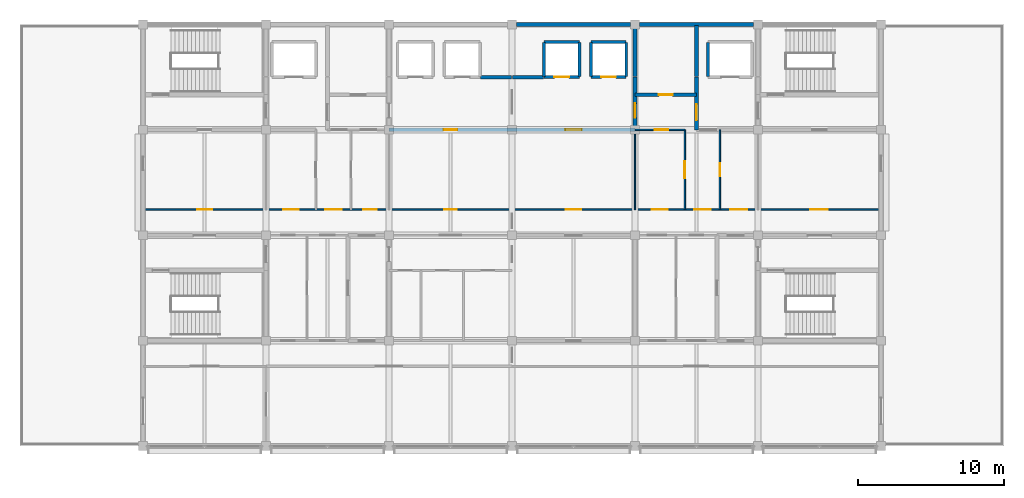
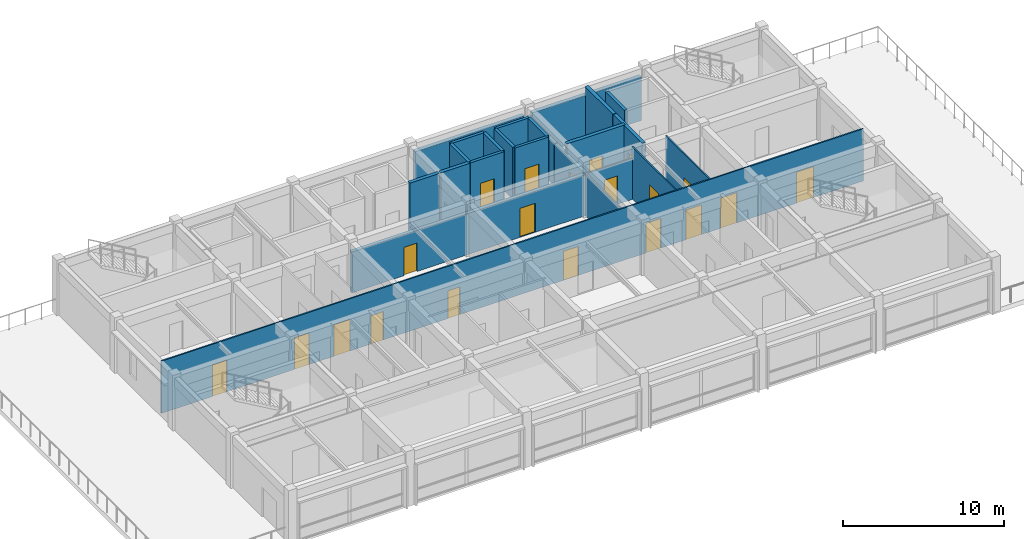
# One storey, part 10 of 13: 24 walls, 20 doors, 20 openings.
"""IFC4 building model written with IfcOpenShell, lengths in metres."""

from ifc_helpers import new_model, si_unit, direction, frame, frame_2d, origin, place, context, subcontext, project, spatial, rectangle, extrude, material, layer, layer_set, type_object, element, fill, save


model = new_model("IFC4")

# Units and contexts
model_context = context("Model", 3, precision=1e-05, world=origin(), true_north=direction((0.0, 1.0)))
body_context = subcontext(model_context, "Body", "Model", "MODEL_VIEW")
ifc_project = project(units=[si_unit("LENGTHUNIT", "METRE"), si_unit("AREAUNIT", "SQUARE_METRE"), si_unit("VOLUMEUNIT", "CUBIC_METRE"), si_unit("PLANEANGLEUNIT", "RADIAN"), si_unit("MASSUNIT", "GRAM", prefix="KILO")], contexts=[model_context])

# Site, building, storey
site_placement = place(None, origin())
site = spatial("IfcSite", under=ifc_project, at=site_placement, CompositionType="ELEMENT")
building_placement = place(site_placement, origin())
building = spatial("IfcBuilding", under=site, at=building_placement, Name="Chengyuan Square Courthouse", CompositionType="ELEMENT")
storey_placement = place(building_placement, frame((0.0, 0.0, 60.300048828125)))
storey = spatial("IfcBuildingStorey", under=building, at=storey_placement, Name="L14", CompositionType="ELEMENT", Elevation=60.300048828125)

# Walls
ifc_material_1 = material(Name="Concrete C40", Category="concrete")
ifc_layer_1 = layer(ifc_material_1, 0.280029296875)
ifc_layer_set_1 = layer_set([ifc_layer_1], Name="Concrete C40")
wall_type_1 = type_object("IfcWallType", Name="WL-EW4", PredefinedType="STANDARD", material=ifc_layer_set_1)
wall_1_placement = place(storey_placement, frame((84.294921875, 108.0, 0.0), z_axis=(0.0, 0.0, 1.0), x_axis=(1.0, 0.0, 0.0)))
element("IfcWall", 1, at=wall_1_placement, inside=storey, type_object=wall_type_1, Name="Exterior Wall WL-L14-E515", PredefinedType="STANDARD", context=body_context, shape_type="SweptSolid", body=[
    extrude(rectangle(XDim=7.81005859375, YDim=0.280029296875, at=frame_2d((3.905029296875, 0.0))), origin(), (0.0, 0.0, 1.0), 3.31005859375),
])
wall_2_placement = place(storey_placement, frame((92.695068359375, 108.0, 0.0), z_axis=(0.0, 0.0, 1.0), x_axis=(1.0, 0.0, 0.0)))
element("IfcWall", 2, at=wall_2_placement, inside=storey, type_object=wall_type_1, Name="Exterior Wall WL-L14-E516", PredefinedType="STANDARD", context=body_context, shape_type="SweptSolid", body=[
    extrude(rectangle(XDim=7.809814453125, YDim=0.280029296875, at=frame_2d((3.90478515625, 0.0))), origin(), (0.0, 0.0, 1.0), 3.31005859375),
])

# Wall, openings, doors
ifc_layer_2 = layer(ifc_material_1, 0.25)
ifc_layer_set_2 = layer_set([ifc_layer_2], Name="Concrete C40")
wall_type_2 = type_object("IfcWallType", Name="WL-FW1", PredefinedType="STANDARD", material=ifc_layer_set_2)
wall_3_placement = place(storey_placement, frame((75.60009765625, 100.800048828125, 0.0), z_axis=(0.0, 0.0, 1.0), x_axis=(1.0, 0.0, 0.0)))
wall_3 = element("IfcWall", 3, at=wall_3_placement, inside=storey, type_object=wall_type_2, Name="Interior Wall WL-L14-I3923", PredefinedType="STANDARD", context=body_context, shape_type="SweptSolid", body=[
    extrude(rectangle(XDim=16.7998046875, YDim=0.25, at=frame_2d((8.39990234375, 0.0))), origin(), (0.0, 0.0, 1.0), 3.10986328125),
])
opening_1_placement = place(wall_3_placement, frame((3.72509765625, 0.0, 0.0)))
opening_1 = element("IfcOpeningElement", 4, at=opening_1_placement, cuts=wall_3, Name="Opening DR-3255", PredefinedType="OPENING", context=body_context, shape_type="SweptSolid", body=[
    extrude(rectangle(XDim=0.949951171875, YDim=2.14990234375, at=frame_2d((0.47509765625, 1.074951171875))), frame((0.0, 0.136962890625, 0.0), z_axis=(0.0, -1.0, 0.0), x_axis=(1.0, 0.0, 0.0)), (0.0, 0.0, 1.0), 0.27392578125),
])
opening_2_placement = place(wall_3_placement, frame((12.050048828125, 0.0, 0.0)))
opening_2 = element("IfcOpeningElement", 5, at=opening_2_placement, cuts=wall_3, Name="Opening DR-3256", PredefinedType="OPENING", context=body_context, shape_type="SweptSolid", body=[
    extrude(rectangle(XDim=1.10009765625, YDim=2.199951171875, at=frame_2d((0.550048828125, 1.10009765625))), frame((0.0, 0.136962890625, 0.0), z_axis=(0.0, -1.0, 0.0), x_axis=(1.0, 0.0, 0.0)), (0.0, 0.0, 1.0), 0.27392578125),
])
ifc_material_2 = material(Name="Steel Q235B Fire Door", Category="steel")
door_type_1 = type_object("IfcDoorType", Name="DT-10", OperationType="NOTDEFINED", PredefinedType="DOOR", material=ifc_material_2)
door_1_placement = place(opening_2_placement, origin())
door_1 = element("IfcDoor", 6, at=door_1_placement, inside=storey, type_object=door_type_1, Name="Interior Door DR-3256", OperationType="SINGLE_SWING_RIGHT", OverallHeight=2.199951171875, OverallWidth=1.10009765625, PredefinedType="DOOR", context=body_context, shape_type="SweptSolid", body=[
    extrude(rectangle(XDim=1.10009765625, YDim=2.199951171875, at=frame_2d((0.550048828125, 1.10009765625))), frame((0.0, 0.02490234375, 0.0), z_axis=(0.0, -1.0, 0.0), x_axis=(1.0, 0.0, 0.0)), (0.0, 0.0, 1.0), 0.050048828125),
])
fill(opening_2, door_1)
door_type_2 = type_object("IfcDoorType", Name="DT-12", OperationType="NOTDEFINED", PredefinedType="DOOR", material=ifc_material_2)
door_2_placement = place(opening_1_placement, origin())
door_2 = element("IfcDoor", 7, at=door_2_placement, inside=storey, type_object=door_type_2, Name="Interior Door DR-3255", OperationType="SINGLE_SWING_LEFT", OverallHeight=2.14990234375, OverallWidth=0.949951171875, PredefinedType="DOOR", context=body_context, shape_type="SweptSolid", body=[
    extrude(rectangle(XDim=0.949951171875, YDim=2.14990234375, at=frame_2d((0.47509765625, 1.074951171875))), frame((0.0, 0.02490234375, 0.0), z_axis=(0.0, -1.0, 0.0), x_axis=(1.0, 0.0, 0.0)), (0.0, 0.0, 1.0), 0.050048828125),
])
fill(opening_1, door_2)

# Wall, opening, door
wall_4_placement = place(storey_placement, frame((92.39990234375, 103.199951171875, 0.0), z_axis=(0.0, 0.0, 1.0), x_axis=(1.0, 0.0, 0.0)))
wall_4 = element("IfcWall", 8, at=wall_4_placement, inside=storey, type_object=wall_type_2, Name="Interior Wall WL-L14-I3928", PredefinedType="STANDARD", context=body_context, shape_type="SweptSolid", body=[
    extrude(rectangle(XDim=4.2001953125, YDim=0.25, at=frame_2d((2.10009765625, 0.0))), origin(), (0.0, 0.0, 1.0), 3.9599609375),
])
opening_3_placement = place(wall_4_placement, frame((1.625, 0.0, 0.0)))
opening_3 = element("IfcOpeningElement", 9, at=opening_3_placement, cuts=wall_4, Name="Opening DR-3249", PredefinedType="OPENING", context=body_context, shape_type="SweptSolid", body=[
    extrude(rectangle(XDim=0.949951171875, YDim=2.14990234375, at=frame_2d((0.47509765625, 1.074951171875))), frame((0.0, 0.136962890625, 0.0), z_axis=(0.0, -1.0, 0.0), x_axis=(1.0, 0.0, 0.0)), (0.0, 0.0, 1.0), 0.27392578125),
])
door_3_placement = place(opening_3_placement, origin())
door_3 = element("IfcDoor", 10, at=door_3_placement, inside=storey, type_object=door_type_2, Name="Interior Door DR-3249", OperationType="SINGLE_SWING_RIGHT", OverallHeight=2.14990234375, OverallWidth=0.949951171875, PredefinedType="DOOR", context=body_context, shape_type="SweptSolid", body=[
    extrude(rectangle(XDim=0.949951171875, YDim=2.14990234375, at=frame_2d((0.47509765625, 1.074951171875))), frame((0.0, 0.02490234375, 0.0), z_axis=(0.0, -1.0, 0.0), x_axis=(1.0, 0.0, 0.0)), (0.0, 0.0, 1.0), 0.050048828125),
])
fill(opening_3, door_3)

# Walls
for number, where, z_axis, x_axis, name in (
    (11, (81.85009765625, 104.39990234375, 0.0), (0.0, 0.0, 1.0), (1.0, 0.0, 0.0), "Interior Wall WL-L14-I3933"),
    (12, (84.050048828125, 104.39990234375, 0.0), (0.0, 0.0, 1.0), (1.0, 0.0, 0.0), "Interior Wall WL-L14-I3934"),
):
    element("IfcWall", number, at=place(storey_placement, frame(where, z_axis=z_axis, x_axis=x_axis)), inside=storey, type_object=wall_type_2, Name=name, PredefinedType="STANDARD", context=body_context, shape_type="SweptSolid", body=[
        extrude(rectangle(XDim=2.099853515625, YDim=0.25, at=frame_2d((1.0498046875, 0.0))), origin(), (0.0, 0.0, 1.0), 3.9599609375),
    ])

# Wall, opening, door
wall_5_placement = place(storey_placement, frame((92.39990234375, 100.800048828125, 0.0), z_axis=(0.0, 0.0, 1.0), x_axis=(0.0, 1.0, 0.0)))
wall_5 = element("IfcWall", 13, at=wall_5_placement, inside=storey, type_object=wall_type_2, Name="Interior Wall WL-L14-I3976", PredefinedType="STANDARD", context=body_context, shape_type="SweptSolid", body=[
    extrude(rectangle(XDim=3.599853515625, YDim=0.25, at=frame_2d((1.7998046875, 0.0))), origin(), (0.0, 0.0, 1.0), 3.2099609375),
])
opening_4_placement = place(wall_5_placement, frame((0.81005859375, 0.0, 0.0)))
opening_4 = element("IfcOpeningElement", 14, at=opening_4_placement, cuts=wall_5, Name="Opening DR-3251", PredefinedType="OPENING", context=body_context, shape_type="SweptSolid", body=[
    extrude(rectangle(XDim=1.0, YDim=2.199951171875, at=frame_2d((0.5, 1.10009765625))), frame((0.0, 0.136962890625, 0.0), z_axis=(0.0, -1.0, 0.0), x_axis=(1.0, 0.0, 0.0)), (0.0, 0.0, 1.0), 0.27392578125),
])
door_type_3 = type_object("IfcDoorType", Name="DT-11", OperationType="NOTDEFINED", PredefinedType="DOOR", material=ifc_material_2)
door_4_placement = place(opening_4_placement, origin())
door_4 = element("IfcDoor", 15, at=door_4_placement, inside=storey, type_object=door_type_3, Name="Interior Door DR-3251", OperationType="SINGLE_SWING_RIGHT", OverallHeight=2.199951171875, OverallWidth=1.0, PredefinedType="DOOR", context=body_context, shape_type="SweptSolid", body=[
    extrude(rectangle(XDim=1.0, YDim=2.199951171875, at=frame_2d((0.5, 1.10009765625))), frame((0.0, 0.02490234375, 0.0), z_axis=(0.0, -1.0, 0.0), x_axis=(1.0, 0.0, 0.0)), (0.0, 0.0, 1.0), 0.050048828125),
])
fill(opening_4, door_4)

# Wall
wall_6_placement = place(storey_placement, frame((92.39990234375, 104.449951171875, 0.0), z_axis=(0.0, 0.0, 1.0), x_axis=(0.0, 1.0, 0.0)))
element("IfcWall", 16, at=wall_6_placement, inside=storey, type_object=wall_type_2, Name="Interior Wall WL-L14-I3977", PredefinedType="STANDARD", context=body_context, shape_type="SweptSolid", body=[
    extrude(rectangle(XDim=3.4599609375, YDim=0.25, at=frame_2d((1.72998046875, 0.0))), origin(), (0.0, 0.0, 1.0), 3.2099609375),
])

# Wall, opening, door
wall_7_placement = place(storey_placement, frame((96.60009765625, 100.800048828125, 0.0), z_axis=(0.0, 0.0, 1.0), x_axis=(0.0, 1.0, 0.0)))
wall_7 = element("IfcWall", 17, at=wall_7_placement, inside=storey, type_object=wall_type_2, Name="Interior Wall WL-L14-I3980", PredefinedType="STANDARD", context=body_context, shape_type="SweptSolid", body=[
    extrude(rectangle(XDim=3.599853515625, YDim=0.25, at=frame_2d((1.7998046875, 0.0))), origin(), (0.0, 0.0, 1.0), 3.9599609375),
])
opening_5_placement = place(wall_7_placement, frame((0.64990234375, 0.0, 0.0)))
opening_5 = element("IfcOpeningElement", 18, at=opening_5_placement, cuts=wall_7, Name="Opening DR-3250", PredefinedType="OPENING", context=body_context, shape_type="SweptSolid", body=[
    extrude(rectangle(XDim=1.10009765625, YDim=2.199951171875, at=frame_2d((0.550048828125, 1.10009765625))), frame((0.0, 0.136962890625, 0.0), z_axis=(0.0, -1.0, 0.0), x_axis=(1.0, 0.0, 0.0)), (0.0, 0.0, 1.0), 0.27392578125),
])
door_5_placement = place(opening_5_placement, origin())
door_5 = element("IfcDoor", 19, at=door_5_placement, inside=storey, type_object=door_type_1, Name="Interior Door DR-3250", OperationType="SINGLE_SWING_LEFT", OverallHeight=2.199951171875, OverallWidth=1.10009765625, PredefinedType="DOOR", context=body_context, shape_type="SweptSolid", body=[
    extrude(rectangle(XDim=1.10009765625, YDim=2.199951171875, at=frame_2d((0.550048828125, 1.10009765625))), frame((0.0, 0.02490234375, 0.0), z_axis=(0.0, -1.0, 0.0), x_axis=(1.0, 0.0, 0.0)), (0.0, 0.0, 1.0), 0.050048828125),
])
fill(opening_5, door_5)

# Wall
wall_8_placement = place(storey_placement, frame((96.60009765625, 104.449951171875, 0.0), z_axis=(0.0, 0.0, 1.0), x_axis=(0.0, 1.0, 0.0)))
element("IfcWall", 20, at=wall_8_placement, inside=storey, type_object=wall_type_2, Name="Interior Wall WL-L14-I3981", PredefinedType="STANDARD", context=body_context, shape_type="SweptSolid", body=[
    extrude(rectangle(XDim=3.4599609375, YDim=0.25, at=frame_2d((1.72998046875, 0.0))), origin(), (0.0, 0.0, 1.0), 3.9599609375),
])

# Wall, openings, doors
ifc_material_3 = material(Name="Gypsum Plasterboard Acoustic Stud Partition")
ifc_layer_3 = layer(ifc_material_3, 0.10009765625)
ifc_layer_set_3 = layer_set([ifc_layer_3], Name="Gypsum Plasterboard Acoustic Stud Partition")
wall_type_3 = type_object("IfcWallType", Name="WL-PT6", PredefinedType="STANDARD", material=ifc_layer_set_3)
wall_9_placement = place(storey_placement, frame((58.840087890625, 95.35009765625, 0.0), z_axis=(0.0, 0.0, 1.0), x_axis=(1.0, 0.0, 0.0)))
wall_9 = element("IfcWall", 21, at=wall_9_placement, inside=storey, type_object=wall_type_3, Name="Interior Wall WL-L14-I3920", PredefinedType="STANDARD", context=body_context, shape_type="SweptSolid", body=[
    extrude(rectangle(XDim=50.31982421875, YDim=0.10009765625, at=frame_2d((25.159912109375, 0.0))), origin(), (0.0, 0.0, 1.0), 3.9599609375),
])
opening_6_placement = place(wall_9_placement, frame((3.669921875, 0.0, 0.0)))
opening_6 = element("IfcOpeningElement", 22, at=opening_6_placement, cuts=wall_9, Name="Opening DR-3264", PredefinedType="OPENING", context=body_context, shape_type="SweptSolid", body=[
    extrude(rectangle(XDim=1.02001953125, YDim=2.39990234375, at=frame_2d((0.510009765625, 1.199951171875))), frame((0.0, 0.06201171875, 0.0), z_axis=(0.0, -1.0, 0.0), x_axis=(1.0, 0.0, 0.0)), (0.0, 0.0, 1.0), 0.1240234375),
])
opening_7_placement = place(wall_9_placement, frame((9.530029296875, 0.0, 0.0)))
opening_7 = element("IfcOpeningElement", 23, at=opening_7_placement, cuts=wall_9, Name="Opening DR-3265", PredefinedType="OPENING", context=body_context, shape_type="SweptSolid", body=[
    extrude(rectangle(XDim=1.06005859375, YDim=2.39990234375, at=frame_2d((0.530029296875, 1.199951171875))), frame((0.0, 0.06201171875, 0.0), z_axis=(0.0, -1.0, 0.0), x_axis=(1.0, 0.0, 0.0)), (0.0, 0.0, 1.0), 0.1240234375),
])
opening_8_placement = place(wall_9_placement, frame((12.389892578125, 0.0, 0.0)))
opening_8 = element("IfcOpeningElement", 24, at=opening_8_placement, cuts=wall_9, Name="Opening DR-3266", PredefinedType="OPENING", context=body_context, shape_type="SweptSolid", body=[
    extrude(rectangle(XDim=1.139892578125, YDim=2.39990234375, at=frame_2d((0.56982421875, 1.199951171875))), frame((0.0, 0.06201171875, 0.0), z_axis=(0.0, -1.0, 0.0), x_axis=(1.0, 0.0, 0.0)), (0.0, 0.0, 1.0), 0.1240234375),
])
opening_9_placement = place(wall_9_placement, frame((15.010009765625, 0.0, 0.0)))
opening_9 = element("IfcOpeningElement", 25, at=opening_9_placement, cuts=wall_9, Name="Opening DR-3267", PredefinedType="OPENING", context=body_context, shape_type="SweptSolid", body=[
    extrude(rectangle(XDim=0.89990234375, YDim=2.14990234375, at=frame_2d((0.449951171875, 1.074951171875))), frame((0.0, 0.06201171875, 0.0), z_axis=(0.0, -1.0, 0.0), x_axis=(1.0, 0.0, 0.0)), (0.0, 0.0, 1.0), 0.1240234375),
])
opening_10_placement = place(wall_9_placement, frame((20.530029296875, 0.0, 0.0)))
opening_10 = element("IfcOpeningElement", 26, at=opening_10_placement, cuts=wall_9, Name="Opening DR-3268", PredefinedType="OPENING", context=body_context, shape_type="SweptSolid", body=[
    extrude(rectangle(XDim=0.860107421875, YDim=2.10009765625, at=frame_2d((0.43017578125, 1.050048828125))), frame((0.0, 0.06201171875, 0.0), z_axis=(0.0, -1.0, 0.0), x_axis=(1.0, 0.0, 0.0)), (0.0, 0.0, 1.0), 0.1240234375),
])
opening_11_placement = place(wall_9_placement, frame((28.840087890625, 0.0, 0.0)))
opening_11 = element("IfcOpeningElement", 27, at=opening_11_placement, cuts=wall_9, Name="Opening DR-3272", PredefinedType="OPENING", context=body_context, shape_type="SweptSolid", body=[
    extrude(rectangle(XDim=1.0400390625, YDim=2.199951171875, at=frame_2d((0.52001953125, 1.10009765625))), frame((0.0, 0.06201171875, 0.0), z_axis=(0.0, -1.0, 0.0), x_axis=(1.0, 0.0, 0.0)), (0.0, 0.0, 1.0), 0.1240234375),
])
opening_12_placement = place(wall_9_placement, frame((34.719970703125, 0.0, 0.0)))
opening_12 = element("IfcOpeningElement", 28, at=opening_12_placement, cuts=wall_9, Name="Opening DR-3273", PredefinedType="OPENING", context=body_context, shape_type="SweptSolid", body=[
    extrude(rectangle(XDim=1.080078125, YDim=2.25, at=frame_2d((0.5400390625, 1.125))), frame((0.0, 0.06201171875, 0.0), z_axis=(0.0, -1.0, 0.0), x_axis=(1.0, 0.0, 0.0)), (0.0, 0.0, 1.0), 0.1240234375),
])
opening_13_placement = place(wall_9_placement, frame((37.60009765625, 0.0, 0.0)))
opening_13 = element("IfcOpeningElement", 29, at=opening_13_placement, cuts=wall_9, Name="Opening DR-3274", PredefinedType="OPENING", context=body_context, shape_type="SweptSolid", body=[
    extrude(rectangle(XDim=1.1201171875, YDim=2.25, at=frame_2d((0.56005859375, 1.125))), frame((0.0, 0.06201171875, 0.0), z_axis=(0.0, -1.0, 0.0), x_axis=(1.0, 0.0, 0.0)), (0.0, 0.0, 1.0), 0.1240234375),
])
opening_14_placement = place(wall_9_placement, frame((40.080078125, 0.0, 0.0)))
opening_14 = element("IfcOpeningElement", 30, at=opening_14_placement, cuts=wall_9, Name="Opening DR-3275", PredefinedType="OPENING", context=body_context, shape_type="SweptSolid", body=[
    extrude(rectangle(XDim=1.159912109375, YDim=2.300048828125, at=frame_2d((0.580078125, 1.14990234375))), frame((0.0, 0.06201171875, 0.0), z_axis=(0.0, -1.0, 0.0), x_axis=(1.0, 0.0, 0.0)), (0.0, 0.0, 1.0), 0.1240234375),
])
opening_15_placement = place(wall_9_placement, frame((45.5400390625, 0.0, 0.0)))
opening_15 = element("IfcOpeningElement", 31, at=opening_15_placement, cuts=wall_9, Name="Opening DR-3276", PredefinedType="OPENING", context=body_context, shape_type="SweptSolid", body=[
    extrude(rectangle(XDim=1.199951171875, YDim=2.35009765625, at=frame_2d((0.60009765625, 1.175048828125))), frame((0.0, 0.06201171875, 0.0), z_axis=(0.0, -1.0, 0.0), x_axis=(1.0, 0.0, 0.0)), (0.0, 0.0, 1.0), 0.1240234375),
])
ifc_material_4 = material(Name="Acoustic Solid-Core Timber Door", Category="wood")
door_type_4 = type_object("IfcDoorType", Name="DT-27", OperationType="NOTDEFINED", PredefinedType="DOOR", material=ifc_material_4)
door_6_placement = place(opening_9_placement, origin())
door_6 = element("IfcDoor", 32, at=door_6_placement, inside=storey, type_object=door_type_4, Name="Interior Door DR-3267", OperationType="SINGLE_SWING_RIGHT", OverallHeight=2.14990234375, OverallWidth=0.89990234375, PredefinedType="DOOR", context=body_context, shape_type="SweptSolid", body=[
    extrude(rectangle(XDim=0.89990234375, YDim=2.14990234375, at=frame_2d((0.449951171875, 1.074951171875))), frame((0.0, 0.02490234375, 0.0), z_axis=(0.0, -1.0, 0.0), x_axis=(1.0, 0.0, 0.0)), (0.0, 0.0, 1.0), 0.050048828125),
])
fill(opening_9, door_6)
door_type_5 = type_object("IfcDoorType", Name="DT-28", OperationType="NOTDEFINED", PredefinedType="DOOR", material=ifc_material_4)
door_7_placement = place(opening_10_placement, origin())
door_7 = element("IfcDoor", 33, at=door_7_placement, inside=storey, type_object=door_type_5, Name="Interior Door DR-3268", OperationType="SINGLE_SWING_LEFT", OverallHeight=2.10009765625, OverallWidth=0.860107421875, PredefinedType="DOOR", context=body_context, shape_type="SweptSolid", body=[
    extrude(rectangle(XDim=0.860107421875, YDim=2.10009765625, at=frame_2d((0.43017578125, 1.050048828125))), frame((0.0, 0.02490234375, 0.0), z_axis=(0.0, -1.0, 0.0), x_axis=(1.0, 0.0, 0.0)), (0.0, 0.0, 1.0), 0.050048828125),
])
fill(opening_10, door_7)
door_type_6 = type_object("IfcDoorType", Name="DT-32", OperationType="NOTDEFINED", PredefinedType="DOOR", material=ifc_material_4)
door_8_placement = place(opening_11_placement, origin())
door_8 = element("IfcDoor", 34, at=door_8_placement, inside=storey, type_object=door_type_6, Name="Interior Door DR-3272", OperationType="SINGLE_SWING_LEFT", OverallHeight=2.199951171875, OverallWidth=1.0400390625, PredefinedType="DOOR", context=body_context, shape_type="SweptSolid", body=[
    extrude(rectangle(XDim=1.0400390625, YDim=2.199951171875, at=frame_2d((0.52001953125, 1.10009765625))), frame((0.0, 0.02490234375, 0.0), z_axis=(0.0, -1.0, 0.0), x_axis=(1.0, 0.0, 0.0)), (0.0, 0.0, 1.0), 0.050048828125),
])
fill(opening_11, door_8)
door_type_7 = type_object("IfcDoorType", Name="DT-33", OperationType="NOTDEFINED", PredefinedType="DOOR", material=ifc_material_4)
door_9_placement = place(opening_12_placement, origin())
door_9 = element("IfcDoor", 35, at=door_9_placement, inside=storey, type_object=door_type_7, Name="Interior Door DR-3273", OperationType="SINGLE_SWING_RIGHT", OverallHeight=2.25, OverallWidth=1.080078125, PredefinedType="DOOR", context=body_context, shape_type="SweptSolid", body=[
    extrude(rectangle(XDim=1.080078125, YDim=2.25, at=frame_2d((0.5400390625, 1.125))), frame((0.0, 0.02490234375, 0.0), z_axis=(0.0, -1.0, 0.0), x_axis=(1.0, 0.0, 0.0)), (0.0, 0.0, 1.0), 0.050048828125),
])
fill(opening_12, door_9)
door_type_8 = type_object("IfcDoorType", Name="DT-34", OperationType="NOTDEFINED", PredefinedType="DOOR", material=ifc_material_4)
door_10_placement = place(opening_13_placement, origin())
door_10 = element("IfcDoor", 36, at=door_10_placement, inside=storey, type_object=door_type_8, Name="Interior Door DR-3274", OperationType="SINGLE_SWING_LEFT", OverallHeight=2.25, OverallWidth=1.1201171875, PredefinedType="DOOR", context=body_context, shape_type="SweptSolid", body=[
    extrude(rectangle(XDim=1.1201171875, YDim=2.25, at=frame_2d((0.56005859375, 1.125))), frame((0.0, 0.02490234375, 0.0), z_axis=(0.0, -1.0, 0.0), x_axis=(1.0, 0.0, 0.0)), (0.0, 0.0, 1.0), 0.050048828125),
])
fill(opening_13, door_10)
door_type_9 = type_object("IfcDoorType", Name="DT-35", OperationType="NOTDEFINED", PredefinedType="DOOR", material=ifc_material_4)
door_11_placement = place(opening_14_placement, origin())
door_11 = element("IfcDoor", 37, at=door_11_placement, inside=storey, type_object=door_type_9, Name="Interior Door DR-3275", OperationType="SINGLE_SWING_RIGHT", OverallHeight=2.300048828125, OverallWidth=1.159912109375, PredefinedType="DOOR", context=body_context, shape_type="SweptSolid", body=[
    extrude(rectangle(XDim=1.159912109375, YDim=2.300048828125, at=frame_2d((0.580078125, 1.14990234375))), frame((0.0, 0.02490234375, 0.0), z_axis=(0.0, -1.0, 0.0), x_axis=(1.0, 0.0, 0.0)), (0.0, 0.0, 1.0), 0.050048828125),
])
fill(opening_14, door_11)
door_type_10 = type_object("IfcDoorType", Name="DT-36", OperationType="NOTDEFINED", PredefinedType="DOOR", material=ifc_material_4)
door_12_placement = place(opening_15_placement, origin())
door_12 = element("IfcDoor", 38, at=door_12_placement, inside=storey, type_object=door_type_10, Name="Interior Door DR-3276", OperationType="SINGLE_SWING_LEFT", OverallHeight=2.35009765625, OverallWidth=1.199951171875, PredefinedType="DOOR", context=body_context, shape_type="SweptSolid", body=[
    extrude(rectangle(XDim=1.199951171875, YDim=2.35009765625, at=frame_2d((0.60009765625, 1.175048828125))), frame((0.0, 0.02490234375, 0.0), z_axis=(0.0, -1.0, 0.0), x_axis=(1.0, 0.0, 0.0)), (0.0, 0.0, 1.0), 0.050048828125),
])
fill(opening_15, door_12)
door_type_11 = type_object("IfcDoorType", Name="DT-41", OperationType="NOTDEFINED", PredefinedType="DOOR", material=ifc_material_4)
door_13_placement = place(opening_6_placement, origin())
door_13 = element("IfcDoor", 39, at=door_13_placement, inside=storey, type_object=door_type_11, Name="Interior Door DR-3264", OperationType="SINGLE_SWING_LEFT", OverallHeight=2.39990234375, OverallWidth=1.02001953125, PredefinedType="DOOR", context=body_context, shape_type="SweptSolid", body=[
    extrude(rectangle(XDim=1.02001953125, YDim=2.39990234375, at=frame_2d((0.510009765625, 1.199951171875))), frame((0.0, 0.02490234375, 0.0), z_axis=(0.0, -1.0, 0.0), x_axis=(1.0, 0.0, 0.0)), (0.0, 0.0, 1.0), 0.050048828125),
])
fill(opening_6, door_13)
door_type_12 = type_object("IfcDoorType", Name="DT-42", OperationType="NOTDEFINED", PredefinedType="DOOR", material=ifc_material_4)
door_14_placement = place(opening_7_placement, origin())
door_14 = element("IfcDoor", 40, at=door_14_placement, inside=storey, type_object=door_type_12, Name="Interior Door DR-3265", OperationType="SINGLE_SWING_RIGHT", OverallHeight=2.39990234375, OverallWidth=1.06005859375, PredefinedType="DOOR", context=body_context, shape_type="SweptSolid", body=[
    extrude(rectangle(XDim=1.06005859375, YDim=2.39990234375, at=frame_2d((0.530029296875, 1.199951171875))), frame((0.0, 0.02490234375, 0.0), z_axis=(0.0, -1.0, 0.0), x_axis=(1.0, 0.0, 0.0)), (0.0, 0.0, 1.0), 0.050048828125),
])
fill(opening_7, door_14)
door_type_13 = type_object("IfcDoorType", Name="DT-43", OperationType="NOTDEFINED", PredefinedType="DOOR", material=ifc_material_4)
door_15_placement = place(opening_8_placement, origin())
door_15 = element("IfcDoor", 41, at=door_15_placement, inside=storey, type_object=door_type_13, Name="Interior Door DR-3266", OperationType="SINGLE_SWING_LEFT", OverallHeight=2.39990234375, OverallWidth=1.139892578125, PredefinedType="DOOR", context=body_context, shape_type="SweptSolid", body=[
    extrude(rectangle(XDim=1.139892578125, YDim=2.39990234375, at=frame_2d((0.56982421875, 1.199951171875))), frame((0.0, 0.02490234375, 0.0), z_axis=(0.0, -1.0, 0.0), x_axis=(1.0, 0.0, 0.0)), (0.0, 0.0, 1.0), 0.050048828125),
])
fill(opening_8, door_15)

# Wall, opening, door
wall_10_placement = place(storey_placement, frame((92.39990234375, 100.800048828125, 0.0), z_axis=(0.0, 0.0, 1.0), x_axis=(1.0, 0.0, 0.0)))
wall_10 = element("IfcWall", 42, at=wall_10_placement, inside=storey, type_object=wall_type_3, Name="Interior Wall WL-L14-I3924", PredefinedType="STANDARD", context=body_context, shape_type="SweptSolid", body=[
    extrude(rectangle(XDim=3.400146484375, YDim=0.10009765625, at=frame_2d((1.7001953125, 0.0))), origin(), (0.0, 0.0, 1.0), 3.10986328125),
])
opening_16_placement = place(wall_10_placement, frame((1.35009765625, 0.0, 0.0)))
opening_16 = element("IfcOpeningElement", 43, at=opening_16_placement, cuts=wall_10, Name="Opening DR-3252", PredefinedType="OPENING", context=body_context, shape_type="SweptSolid", body=[
    extrude(rectangle(XDim=0.919921875, YDim=2.14990234375, at=frame_2d((0.4599609375, 1.074951171875))), frame((0.0, 0.06201171875, 0.0), z_axis=(0.0, -1.0, 0.0), x_axis=(1.0, 0.0, 0.0)), (0.0, 0.0, 1.0), 0.1240234375),
])
door_type_14 = type_object("IfcDoorType", Name="DT-29", OperationType="NOTDEFINED", PredefinedType="DOOR", material=ifc_material_4)
door_16_placement = place(opening_16_placement, origin())
door_16 = element("IfcDoor", 44, at=door_16_placement, inside=storey, type_object=door_type_14, Name="Interior Door DR-3252", OperationType="SINGLE_SWING_LEFT", OverallHeight=2.14990234375, OverallWidth=0.919921875, PredefinedType="DOOR", context=body_context, shape_type="SweptSolid", body=[
    extrude(rectangle(XDim=0.919921875, YDim=2.14990234375, at=frame_2d((0.4599609375, 1.074951171875))), frame((0.0, 0.02490234375, 0.0), z_axis=(0.0, -1.0, 0.0), x_axis=(1.0, 0.0, 0.0)), (0.0, 0.0, 1.0), 0.050048828125),
])
fill(opening_16, door_16)

# Wall
wall_11_placement = place(storey_placement, frame((92.39990234375, 95.35009765625, 0.0), z_axis=(0.0, 0.0, 1.0), x_axis=(0.0, 1.0, 0.0)))
element("IfcWall", 45, at=wall_11_placement, inside=storey, type_object=wall_type_3, Name="Interior Wall WL-L14-I3975", PredefinedType="STANDARD", context=body_context, shape_type="SweptSolid", body=[
    extrude(rectangle(XDim=5.449951171875, YDim=0.10009765625, at=frame_2d((2.72509765625, 0.0))), origin(), (0.0, 0.0, 1.0), 3.2099609375),
])

# Wall, opening, door
wall_12_placement = place(storey_placement, frame((95.800048828125, 95.35009765625, 0.0), z_axis=(0.0, 0.0, 1.0), x_axis=(0.0, 1.0, 0.0)))
wall_12 = element("IfcWall", 46, at=wall_12_placement, inside=storey, type_object=wall_type_3, Name="Interior Wall WL-L14-I3979", PredefinedType="STANDARD", context=body_context, shape_type="SweptSolid", body=[
    extrude(rectangle(XDim=5.449951171875, YDim=0.10009765625, at=frame_2d((2.72509765625, 0.0))), origin(), (0.0, 0.0, 1.0), 3.9599609375),
])
opening_17_placement = place(wall_12_placement, frame((2.155029296875, 0.0, 0.0)))
opening_17 = element("IfcOpeningElement", 47, at=opening_17_placement, cuts=wall_12, Name="Opening DR-3283", PredefinedType="OPENING", context=body_context, shape_type="SweptSolid", body=[
    extrude(rectangle(XDim=1.139892578125, YDim=2.39990234375, at=frame_2d((0.56982421875, 1.199951171875))), frame((0.0, 0.06201171875, 0.0), z_axis=(0.0, -1.0, 0.0), x_axis=(1.0, 0.0, 0.0)), (0.0, 0.0, 1.0), 0.1240234375),
])
door_17_placement = place(opening_17_placement, origin())
door_17 = element("IfcDoor", 48, at=door_17_placement, inside=storey, type_object=door_type_13, Name="Interior Door DR-3283", OperationType="SINGLE_SWING_RIGHT", OverallHeight=2.39990234375, OverallWidth=1.139892578125, PredefinedType="DOOR", context=body_context, shape_type="SweptSolid", body=[
    extrude(rectangle(XDim=1.139892578125, YDim=2.39990234375, at=frame_2d((0.56982421875, 1.199951171875))), frame((0.0, 0.02490234375, 0.0), z_axis=(0.0, -1.0, 0.0), x_axis=(1.0, 0.0, 0.0)), (0.0, 0.0, 1.0), 0.050048828125),
])
fill(opening_17, door_17)

wall_13_placement = place(storey_placement, frame((98.199951171875, 95.35009765625, 0.0), z_axis=(0.0, 0.0, 1.0), x_axis=(0.0, 1.0, 0.0)))
wall_13 = element("IfcWall", 49, at=wall_13_placement, inside=storey, type_object=wall_type_3, Name="Interior Wall WL-L14-I3984", PredefinedType="STANDARD", context=body_context, shape_type="SweptSolid", body=[
    extrude(rectangle(XDim=5.449951171875, YDim=0.10009765625, at=frame_2d((2.72509765625, 0.0))), origin(), (0.0, 0.0, 1.0), 3.9599609375),
])
opening_18_placement = place(wall_13_placement, frame((2.27490234375, 0.0, 0.0)))
opening_18 = element("IfcOpeningElement", 50, at=opening_18_placement, cuts=wall_13, Name="Opening DR-3284", PredefinedType="OPENING", context=body_context, shape_type="SweptSolid", body=[
    extrude(rectangle(XDim=0.89990234375, YDim=2.14990234375, at=frame_2d((0.449951171875, 1.074951171875))), frame((0.0, 0.06201171875, 0.0), z_axis=(0.0, -1.0, 0.0), x_axis=(1.0, 0.0, 0.0)), (0.0, 0.0, 1.0), 0.1240234375),
])
door_18_placement = place(opening_18_placement, origin())
door_18 = element("IfcDoor", 51, at=door_18_placement, inside=storey, type_object=door_type_4, Name="Interior Door DR-3284", OperationType="SINGLE_SWING_LEFT", OverallHeight=2.14990234375, OverallWidth=0.89990234375, PredefinedType="DOOR", context=body_context, shape_type="SweptSolid", body=[
    extrude(rectangle(XDim=0.89990234375, YDim=2.14990234375, at=frame_2d((0.449951171875, 1.074951171875))), frame((0.0, 0.02490234375, 0.0), z_axis=(0.0, -1.0, 0.0), x_axis=(1.0, 0.0, 0.0)), (0.0, 0.0, 1.0), 0.050048828125),
])
fill(opening_18, door_18)

ifc_material_5 = material(Name="Reinforced Masonry Shaft Enclosure", Category="masonry")
ifc_layer_4 = layer(ifc_material_5, 0.199951171875)
ifc_layer_set_4 = layer_set([ifc_layer_4], Name="Reinforced Masonry Shaft Enclosure")
wall_type_4 = type_object("IfcWallType", Name="WL-SH1", PredefinedType="STANDARD", material=ifc_layer_set_4)
wall_14_placement = place(storey_placement, frame((86.199951171875, 104.39990234375, 0.0), z_axis=(0.0, 0.0, 1.0), x_axis=(1.0, 0.0, 0.0)))
wall_14 = element("IfcWall", 52, at=wall_14_placement, inside=storey, type_object=wall_type_4, Name="Interior Wall WL-L14-I3935", PredefinedType="STANDARD", context=body_context, shape_type="SweptSolid", body=[
    extrude(rectangle(XDim=2.400146484375, YDim=0.199951171875, at=frame_2d((1.2001953125, 0.0))), origin(), (0.0, 0.0, 1.0), 3.9599609375),
])
opening_19_placement = place(wall_14_placement, frame((0.699951171875, 0.0, 0.0)))
opening_19 = element("IfcOpeningElement", 53, at=opening_19_placement, cuts=wall_14, Name="Opening LD-203", PredefinedType="OPENING", context=body_context, shape_type="SweptSolid", body=[
    extrude(rectangle(XDim=1.0, YDim=2.14990234375, at=frame_2d((0.5, 1.074951171875))), frame((0.0, 0.112060546875, 0.0), z_axis=(0.0, -1.0, 0.0), x_axis=(1.0, 0.0, 0.0)), (0.0, 0.0, 1.0), 0.223876953125),
])
ifc_material_6 = material(Name="Stainless Steel S30408 Lift Landing Door", Category="steel")
door_type_15 = type_object("IfcDoorType", Name="DT-07", OperationType="DOUBLE_DOOR_SLIDING", PredefinedType="DOOR", material=ifc_material_6)
door_19_placement = place(opening_19_placement, origin())
door_19 = element("IfcDoor", 54, at=door_19_placement, inside=storey, type_object=door_type_15, Name="Lift Landing Door LF-J3 L14", OperationType="DOUBLE_DOOR_SLIDING", OverallHeight=2.14990234375, OverallWidth=1.0, PredefinedType="DOOR", context=body_context, shape_type="SweptSolid", body=[
    extrude(rectangle(XDim=1.0, YDim=2.14990234375, at=frame_2d((0.5, 1.074951171875))), frame((0.0, 0.02490234375, 0.0), z_axis=(0.0, -1.0, 0.0), x_axis=(1.0, 0.0, 0.0)), (0.0, 0.0, 1.0), 0.050048828125),
])
fill(opening_19, door_19)

wall_15_placement = place(storey_placement, frame((89.39990234375, 104.39990234375, 0.0), z_axis=(0.0, 0.0, 1.0), x_axis=(1.0, 0.0, 0.0)))
wall_15 = element("IfcWall", 55, at=wall_15_placement, inside=storey, type_object=wall_type_4, Name="Interior Wall WL-L14-I3936", PredefinedType="STANDARD", context=body_context, shape_type="SweptSolid", body=[
    extrude(rectangle(XDim=2.400146484375, YDim=0.199951171875, at=frame_2d((1.2001953125, 0.0))), origin(), (0.0, 0.0, 1.0), 3.9599609375),
])
opening_20_placement = place(wall_15_placement, frame((0.699951171875, 0.0, 0.0)))
opening_20 = element("IfcOpeningElement", 56, at=opening_20_placement, cuts=wall_15, Name="Opening LD-204", PredefinedType="OPENING", context=body_context, shape_type="SweptSolid", body=[
    extrude(rectangle(XDim=1.0, YDim=2.14990234375, at=frame_2d((0.5, 1.074951171875))), frame((0.0, 0.112060546875, 0.0), z_axis=(0.0, -1.0, 0.0), x_axis=(1.0, 0.0, 0.0)), (0.0, 0.0, 1.0), 0.223876953125),
])
door_20_placement = place(opening_20_placement, origin())
door_20 = element("IfcDoor", 57, at=door_20_placement, inside=storey, type_object=door_type_15, Name="Lift Landing Door LF-J4 L14", OperationType="DOUBLE_DOOR_SLIDING", OverallHeight=2.14990234375, OverallWidth=1.0, PredefinedType="DOOR", context=body_context, shape_type="SweptSolid", body=[
    extrude(rectangle(XDim=1.0, YDim=2.14990234375, at=frame_2d((0.5, 1.074951171875))), frame((0.0, 0.02490234375, 0.0), z_axis=(0.0, -1.0, 0.0), x_axis=(1.0, 0.0, 0.0)), (0.0, 0.0, 1.0), 0.050048828125),
])
fill(opening_20, door_20)

# Walls
for number, where, z_axis, x_axis, name in (
    (58, (86.199951171875, 106.800048828125, 0.0), (0.0, 0.0, 1.0), (1.0, 0.0, 0.0), "Interior Wall WL-L14-I3941"),
    (59, (89.39990234375, 106.800048828125, 0.0), (0.0, 0.0, 1.0), (1.0, 0.0, 0.0), "Interior Wall WL-L14-I3942"),
):
    element("IfcWall", number, at=place(storey_placement, frame(where, z_axis=z_axis, x_axis=x_axis)), inside=storey, type_object=wall_type_4, Name=name, PredefinedType="STANDARD", context=body_context, shape_type="SweptSolid", body=[
        extrude(rectangle(XDim=2.400146484375, YDim=0.199951171875, at=frame_2d((1.2001953125, 0.0))), origin(), (0.0, 0.0, 1.0), 3.9599609375),
    ])
for number, where, z_axis, x_axis, name in (
    (60, (86.199951171875, 104.449951171875, 0.0), (0.0, 0.0, 1.0), (0.0, 1.0, 0.0), "Interior Wall WL-L14-I3970"),
    (61, (88.60009765625, 104.449951171875, 0.0), (0.0, 0.0, 1.0), (0.0, 1.0, 0.0), "Interior Wall WL-L14-I3971"),
    (62, (89.39990234375, 104.449951171875, 0.0), (0.0, 0.0, 1.0), (0.0, 1.0, 0.0), "Interior Wall WL-L14-I3972"),
    (63, (91.800048828125, 104.449951171875, 0.0), (0.0, 0.0, 1.0), (0.0, 1.0, 0.0), "Interior Wall WL-L14-I3973"),
    (64, (97.39990234375, 104.449951171875, 0.0), (0.0, 0.0, 1.0), (0.0, 1.0, 0.0), "Interior Wall WL-L14-I3982"),
):
    element("IfcWall", number, at=place(storey_placement, frame(where, z_axis=z_axis, x_axis=x_axis)), inside=storey, type_object=wall_type_4, Name=name, PredefinedType="STANDARD", context=body_context, shape_type="SweptSolid", body=[
        extrude(rectangle(XDim=2.300048828125, YDim=0.199951171875, at=frame_2d((1.14990234375, 0.0))), origin(), (0.0, 0.0, 1.0), 3.9599609375),
    ])

save(model, "model.ifc")
